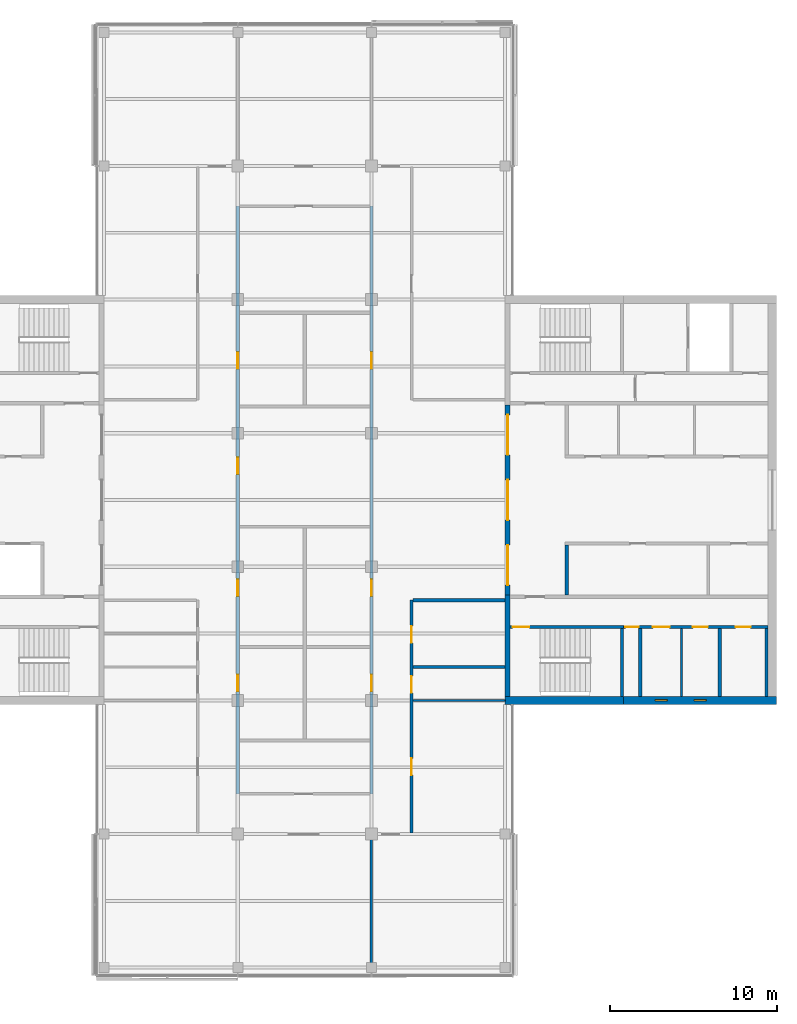
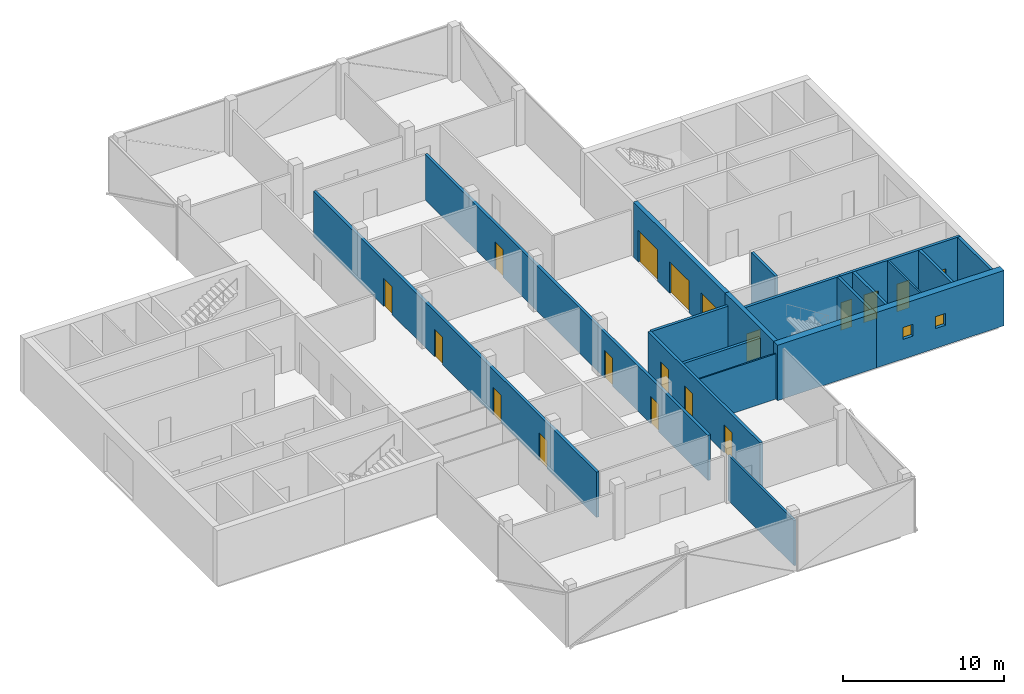
# One storey, part 10 of 16: 19 walls, 18 doors, 2 windows, 20 openings.
"""IFC4 building model written with IfcOpenShell, lengths in metres."""

import ifcopenshell
import ifcopenshell.guid

model = None  # the IFC model being written
_history = None  # IfcOwnerHistory: only IFC2X3 demands one
_inside = {}  # id of a spatial element -> (the spatial element, [elements in it])
_under = {}  # id of a project, library or spatial element -> (it, [spatial elements below it])
_declared = {}  # id of a project -> (the project, [libraries it declares])
_typed = {}  # id of a type object -> (the type object, [elements of that type])
_made_of = {}  # id of a material, layer set ... -> (it, [elements and type objects made of it])


def new_model(schema):
    """Start an empty IFC model of exactly this schema.

    Asked for "IFC4X3", IfcOpenShell would pick the latest addendum, in which some entities
    have other attributes; the version numbers below select the first issue.
    IFC2X3 requires an IfcOwnerHistory on every rooted entity: one is made here for all.
    """
    global model, _history
    if schema == "IFC4X3":
        model = ifcopenshell.file(schema_version=(4, 3, 0, 0))
    else:
        model = ifcopenshell.file(schema=schema)
    _inside.clear()
    _under.clear()
    _declared.clear()
    _typed.clear()
    _made_of.clear()
    _history = None
    if model.schema == "IFC2X3":
        org = make("IfcOrganization", Name="unknown")
        user = make(
            "IfcPersonAndOrganization",
            ThePerson=make("IfcPerson", FamilyName="unknown"),
            TheOrganization=org,
        )
        app = make(
            "IfcApplication",
            ApplicationDeveloper=org,
            Version="unknown",
            ApplicationFullName="unknown",
            ApplicationIdentifier="unknown",
        )
        _history = make(
            "IfcOwnerHistory",
            OwningUser=user,
            OwningApplication=app,
            ChangeAction="ADDED",
            CreationDate=0,
        )
    return model


def make(cls, **values):
    """One entity of the class cls with the attributes given. An attribute that is None is left unset."""
    return model.create_entity(
        cls, **{name: value for name, value in values.items() if value is not None}
    )


def rooted(cls, **values):
    """An entity with a GlobalId (a new one), such as an element, a storey or a relation."""
    return make(cls, GlobalId=ifcopenshell.guid.new(), OwnerHistory=_history, **values)


def si_unit(unit_type, name, prefix=None):
    """IfcSIUnit, for example si_unit("LENGTHUNIT", "METRE", prefix="MILLI")."""
    return make("IfcSIUnit", UnitType=unit_type, Prefix=prefix, Name=name)


def assignment(units):
    """IfcUnitAssignment: the units of a project."""
    return None if units is None else make("IfcUnitAssignment", Units=units)


def point(xyz):
    """IfcCartesianPoint."""
    return None if xyz is None else make("IfcCartesianPoint", Coordinates=xyz)


def direction(xyz):
    """IfcDirection."""
    return None if xyz is None else make("IfcDirection", DirectionRatios=xyz)


def frame(location, z_axis=None, x_axis=None):
    """IfcAxis2Placement3D, a coordinate frame: its origin and axes. An axis left out is left unset."""
    return make(
        "IfcAxis2Placement3D",
        Location=point(location),
        Axis=direction(z_axis),
        RefDirection=direction(x_axis),
    )


def frame_2d(location, x_axis=None):
    """IfcAxis2Placement2D, a coordinate frame in the plane: its origin and x axis."""
    return make(
        "IfcAxis2Placement2D", Location=point(location), RefDirection=direction(x_axis)
    )


def origin():
    """The frame at (0, 0, 0) with its axes left unset."""
    return frame((0.0, 0.0, 0.0))


def place(relative_to, where):
    """IfcLocalPlacement: puts the frame where relative to a parent placement (None: the world)."""
    return make(
        "IfcLocalPlacement", PlacementRelTo=relative_to, RelativePlacement=where
    )


def context(
    kind, dimensions, precision=None, world=None, true_north=None, identifier=None
):
    """IfcGeometricRepresentationContext, for example the 3D "Model" context."""
    return make(
        "IfcGeometricRepresentationContext",
        ContextIdentifier=identifier,
        ContextType=kind,
        CoordinateSpaceDimension=dimensions,
        Precision=precision,
        WorldCoordinateSystem=world,
        TrueNorth=true_north,
    )


def subcontext(parent, identifier, kind, view, scale=None):
    """IfcGeometricRepresentationSubContext, for example "Body" below "Model"."""
    return make(
        "IfcGeometricRepresentationSubContext",
        ContextIdentifier=identifier,
        ContextType=kind,
        ParentContext=parent,
        TargetScale=scale,
        TargetView=view,
    )


def project(units=None, contexts=None):
    """IfcProject with its units and contexts."""
    return rooted(
        "IfcProject",
        Name="project",
        RepresentationContexts=contexts,
        UnitsInContext=assignment(units),
    )


def spatial(cls, under=None, at=None, **own):
    """A site, building, storey or space (cls), placed at a placement, below another one or the project."""
    s = rooted(cls, ObjectPlacement=at, **own)
    if under is not None:
        _under.setdefault(under.id(), (under, []))[1].append(s)
    return s


def profile(cls, at=None, kind="AREA", **sizes):
    """A parametric profile (cls). Its sizes go by their IFC names, for example OverallWidth=200.0."""
    return make(cls, ProfileType=kind, Position=at, **sizes)


def rectangle(**sizes):
    """IfcRectangleProfileDef."""
    return profile("IfcRectangleProfileDef", **sizes)


def extrude(swept, where, along, depth):
    """IfcExtrudedAreaSolid: the profile swept, set in the frame where, extruded along a direction by depth."""
    return make(
        "IfcExtrudedAreaSolid",
        SweptArea=swept,
        Position=where,
        ExtrudedDirection=direction(along),
        Depth=depth,
    )


def shape(context_of_items, identifier, shape_type, items):
    """IfcShapeRepresentation: the items that make up one representation, for example the "Body"."""
    return make(
        "IfcShapeRepresentation",
        ContextOfItems=context_of_items,
        RepresentationIdentifier=identifier,
        RepresentationType=shape_type,
        Items=items,
    )


def material(Name=None, Category=None):
    """IfcMaterial."""
    return make("IfcMaterial", Name=Name, Category=Category)


def layer(
    of_material, thickness, ventilated=None, Name=None, Category=None, Priority=None
):
    """IfcMaterialLayer: one layer of a wall or slab, of a material (None: an air gap)."""
    return make(
        "IfcMaterialLayer",
        Material=of_material,
        LayerThickness=thickness,
        IsVentilated=ventilated,
        Name=Name,
        Category=Category,
        Priority=Priority,
    )


def layer_set(layers, Name=None):
    """IfcMaterialLayerSet."""
    return make("IfcMaterialLayerSet", MaterialLayers=layers, LayerSetName=Name)


def constituent(of_material, Name=None, Category=None, fraction=None):
    """IfcMaterialConstituent: one of the materials an element consists of."""
    return make(
        "IfcMaterialConstituent",
        Name=Name,
        Material=of_material,
        Fraction=fraction,
        Category=Category,
    )


def constituent_set(constituents=None, Name=None):
    """IfcMaterialConstituentSet."""
    return make(
        "IfcMaterialConstituentSet", Name=Name, MaterialConstituents=constituents
    )


def made_of(thing, what):
    """Note that an element or type object is made of a material, layer set ...; save() writes the relation."""
    if what is not None:
        _made_of.setdefault(what.id(), (what, []))[1].append(thing)
    return thing


def type_object(cls, material=None, **own):
    """A type object (cls), such as IfcWallType, which elements share."""
    return made_of(rooted(cls, **own), material)


def element(
    cls,
    number,
    at=None,
    inside=None,
    cuts=None,
    type_object=None,
    material=None,
    context=None,
    identifier="Body",
    shape_type=None,
    held_by="IfcProductDefinitionShape",
    body=None,
    shapes=None,
    **own,
):
    """One element of the class cls, such as IfcWall. Its Tag is "e" and its number.

    at: its placement. inside: the storey or other place that contains it. cuts: it is an
    opening in that element (IfcRelVoidsElement). A single representation is given by context,
    identifier, shape_type and body (its items); several are given by shapes. held_by: the class
    of the entity that holds the representations. save() writes the other relations.
    """
    e = rooted(cls, Tag="e%d" % number, ObjectPlacement=at, **own)
    if body is not None:
        shapes = [shape(context, identifier, shape_type, body)]
    if shapes is not None:
        e.Representation = make(held_by, Representations=shapes)
    if inside is not None:
        _inside.setdefault(inside.id(), (inside, []))[1].append(e)
    if cuts is not None:
        rooted(
            "IfcRelVoidsElement", RelatingBuildingElement=cuts, RelatedOpeningElement=e
        )
    if type_object is not None:
        _typed.setdefault(type_object.id(), (type_object, []))[1].append(e)
    return made_of(e, material)


def fill(opening, filler):
    """IfcRelFillsElement: the door or window that sits in an opening."""
    return rooted(
        "IfcRelFillsElement",
        RelatingOpeningElement=opening,
        RelatedBuildingElement=filler,
    )


def aggregate(whole, parts):
    """IfcRelAggregates: a whole, such as a stair, and the parts it consists of."""
    return rooted("IfcRelAggregates", RelatingObject=whole, RelatedObjects=parts)


def save(model, path):
    """Write the relations noted so far, then the file.

    IfcRelAggregates (storeys below a building ...), IfcRelContainedInSpatialStructure (elements
    in a storey), IfcRelDefinesByType, IfcRelAssociatesMaterial and IfcRelDeclares: one each for
    every whole, place, type object, material and project.
    """
    for whole, parts in _under.values():
        aggregate(whole, parts)
    for where, things in _inside.values():
        rooted(
            "IfcRelContainedInSpatialStructure",
            RelatedElements=things,
            RelatingStructure=where,
        )
    for kind, things in _typed.values():
        rooted("IfcRelDefinesByType", RelatedObjects=things, RelatingType=kind)
    for what, things in _made_of.values():
        rooted("IfcRelAssociatesMaterial", RelatedObjects=things, RelatingMaterial=what)
    for by, libraries in _declared.values():
        rooted("IfcRelDeclares", RelatingContext=by, RelatedDefinitions=libraries)
    model.write(path)


model = new_model("IFC4")

# Units and contexts
model_context = context("Model", 3, precision=1e-05, world=origin(), true_north=direction((0.0, 1.0)))
body_context = subcontext(model_context, "Body", "Model", "MODEL_VIEW")
ifc_project = project(units=[si_unit("LENGTHUNIT", "METRE"), si_unit("AREAUNIT", "SQUARE_METRE"), si_unit("VOLUMEUNIT", "CUBIC_METRE"), si_unit("PLANEANGLEUNIT", "RADIAN"), si_unit("MASSUNIT", "GRAM", prefix="KILO")], contexts=[model_context])

# Site, building, storey
site_placement = place(None, origin())
site = spatial("IfcSite", under=ifc_project, at=site_placement, CompositionType="ELEMENT")
building_placement = place(site_placement, origin())
building = spatial("IfcBuilding", under=site, at=building_placement, Name="Crosswind Convention Tower", CompositionType="ELEMENT")
storey_placement = place(building_placement, frame((0.0, 0.0, 287.10009765625)))
storey = spatial("IfcBuildingStorey", under=building, at=storey_placement, Name="L62", CompositionType="ELEMENT", Elevation=287.10009765625)

# Wall
ifc_material_1 = material(Name="Concrete blockwork", Category="masonry")
ifc_layer_1 = layer(ifc_material_1, 0.199951171875)
ifc_layer_set_1 = layer_set([ifc_layer_1], Name="Blockwork partition wall 200")
wall_type_1 = type_object("IfcWallType", Name="Blockwork partition wall 200", PredefinedType="PARTITIONING", material=ifc_layer_set_1)
wall_1_placement = place(storey_placement, frame((145.10009765625, 88.25, 0.0), z_axis=(0.0, 0.0, 1.0), x_axis=(0.0, 1.0, 0.0)))
element("IfcWall", 1, at=wall_1_placement, inside=storey, type_object=wall_type_1, Name="Wall MRSE E L62", PredefinedType="PARTITIONING", context=body_context, shape_type="SweptSolid", body=[
    extrude(rectangle(XDim=4.050048828125, YDim=0.199951171875, at=frame_2d((2.02490234375, 0.0))), origin(), (0.0, 0.0, 1.0), 4.199951171875),
])

# Wall, openings, doors
ifc_layer_2 = layer(ifc_material_1, 0.199951171875)
ifc_layer_set_2 = layer_set([ifc_layer_2], Name="COMPARTMENT WALL 200 BLOCKWORK")
wall_type_2 = type_object("IfcWallType", Name="COMPARTMENT WALL 200 BLOCKWORK", PredefinedType="SOLIDWALL", material=ifc_layer_set_2)
wall_2_placement = place(storey_placement, frame((121.0, 82.39990234375, 0.0), z_axis=(0.0, 0.0, 1.0), x_axis=(0.0, 1.0, 0.0)))
wall_2 = element("IfcWall", 2, at=wall_2_placement, inside=storey, type_object=wall_type_2, Name="Compartment wall WT42", PredefinedType="SOLIDWALL", context=body_context, shape_type="SweptSolid", body=[
    extrude(rectangle(XDim=35.2001953125, YDim=0.199951171875, at=frame_2d((17.60009765625, 0.0))), origin(), (0.0, 0.0, 1.0), 3.442626953125),
])
opening_1_placement = place(wall_2_placement, frame((6.14990234375, 0.0, 0.0)))
opening_1 = element("IfcOpeningElement", 3, at=opening_1_placement, cuts=wall_2, Name="Opening L62-65", PredefinedType="OPENING", context=body_context, shape_type="SweptSolid", body=[
    extrude(rectangle(XDim=1.0, YDim=2.10009765625, at=frame_2d((0.5, 1.050048828125))), frame((0.0, 0.10986328125, 0.0), z_axis=(0.0, -1.0, 0.0), x_axis=(1.0, 0.0, 0.0)), (0.0, 0.0, 1.0), 0.219970703125),
])
opening_2_placement = place(wall_2_placement, frame((11.85009765625, 0.0, 0.0)))
opening_2 = element("IfcOpeningElement", 4, at=opening_2_placement, cuts=wall_2, Name="Opening L62-67", PredefinedType="OPENING", context=body_context, shape_type="SweptSolid", body=[
    extrude(rectangle(XDim=1.0, YDim=2.10009765625, at=frame_2d((0.5, 1.050048828125))), frame((0.0, 0.10986328125, 0.0), z_axis=(0.0, -1.0, 0.0), x_axis=(1.0, 0.0, 0.0)), (0.0, 0.0, 1.0), 0.219970703125),
])
opening_3_placement = place(wall_2_placement, frame((19.14990234375, 0.0, 0.0)))
opening_3 = element("IfcOpeningElement", 5, at=opening_3_placement, cuts=wall_2, Name="Opening L62-69", PredefinedType="OPENING", context=body_context, shape_type="SweptSolid", body=[
    extrude(rectangle(XDim=1.0, YDim=2.10009765625, at=frame_2d((0.5, 1.050048828125))), frame((0.0, 0.10986328125, 0.0), z_axis=(0.0, -1.0, 0.0), x_axis=(1.0, 0.0, 0.0)), (0.0, 0.0, 1.0), 0.219970703125),
])
opening_4_placement = place(wall_2_placement, frame((25.449951171875, 0.0, 0.0)))
opening_4 = element("IfcOpeningElement", 6, at=opening_4_placement, cuts=wall_2, Name="Opening L62-70", PredefinedType="OPENING", context=body_context, shape_type="SweptSolid", body=[
    extrude(rectangle(XDim=1.0, YDim=2.10009765625, at=frame_2d((0.5, 1.050048828125))), frame((0.0, 0.10986328125, 0.0), z_axis=(0.0, -1.0, 0.0), x_axis=(1.0, 0.0, 0.0)), (0.0, 0.0, 1.0), 0.219970703125),
])
ifc_material_2 = material(Name="Steel fire door", Category="steel")
door_type_1 = type_object("IfcDoorType", Name="PLANT ROOM DOOR 1000X2100 FD60", OperationType="NOTDEFINED", PredefinedType="DOOR", material=ifc_material_2)
door_1_placement = place(opening_4_placement, frame((1.0, 0.0, 0.0), z_axis=(0.0, 0.0, 1.0), x_axis=(-1.0, 0.0, 0.0)))
door_1 = element("IfcDoor", 7, at=door_1_placement, inside=storey, type_object=door_type_1, Name="Door L62-70", ObjectType="D43", OperationType="SINGLE_SWING_RIGHT", OverallHeight=2.10009765625, OverallWidth=1.0, PredefinedType="DOOR", context=body_context, shape_type="SweptSolid", body=[
    extrude(rectangle(XDim=1.0, YDim=2.10009765625, at=frame_2d((0.5, 1.050048828125))), frame((0.0, 0.02490234375, 0.0), z_axis=(0.0, -1.0, 0.0), x_axis=(1.0, 0.0, 0.0)), (0.0, 0.0, 1.0), 0.050048828125),
])
fill(opening_4, door_1)
ifc_material_3 = material(Name="Timber fire door", Category="wood")
door_type_2 = type_object("IfcDoorType", Name="TENANCY ENTRANCE DOOR 1000X2100 FD30S", OperationType="NOTDEFINED", PredefinedType="DOOR", material=ifc_material_3)
door_2_placement = place(opening_1_placement, frame((1.0, 0.0, 0.0), z_axis=(0.0, 0.0, 1.0), x_axis=(-1.0, 0.0, 0.0)))
door_2 = element("IfcDoor", 8, at=door_2_placement, inside=storey, type_object=door_type_2, Name="Door L62-65", ObjectType="D41", OperationType="SINGLE_SWING_RIGHT", OverallHeight=2.10009765625, OverallWidth=1.0, PredefinedType="DOOR", context=body_context, shape_type="SweptSolid", body=[
    extrude(rectangle(XDim=1.0, YDim=2.10009765625, at=frame_2d((0.5, 1.050048828125))), frame((0.0, 0.02490234375, 0.0), z_axis=(0.0, -1.0, 0.0), x_axis=(1.0, 0.0, 0.0)), (0.0, 0.0, 1.0), 0.050048828125),
])
fill(opening_1, door_2)
door_3_placement = place(opening_2_placement, frame((1.0, 0.0, 0.0), z_axis=(0.0, 0.0, 1.0), x_axis=(-1.0, 0.0, 0.0)))
door_3 = element("IfcDoor", 9, at=door_3_placement, inside=storey, type_object=door_type_2, Name="Door L62-67", ObjectType="D41", OperationType="SINGLE_SWING_LEFT", OverallHeight=2.10009765625, OverallWidth=1.0, PredefinedType="DOOR", context=body_context, shape_type="SweptSolid", body=[
    extrude(rectangle(XDim=1.0, YDim=2.10009765625, at=frame_2d((0.5, 1.050048828125))), frame((0.0, 0.02490234375, 0.0), z_axis=(0.0, -1.0, 0.0), x_axis=(1.0, 0.0, 0.0)), (0.0, 0.0, 1.0), 0.050048828125),
])
fill(opening_2, door_3)
door_4_placement = place(opening_3_placement, frame((1.0, 0.0, 0.0), z_axis=(0.0, 0.0, 1.0), x_axis=(-1.0, 0.0, 0.0)))
door_4 = element("IfcDoor", 10, at=door_4_placement, inside=storey, type_object=door_type_2, Name="Door L62-69", ObjectType="D41", OperationType="SINGLE_SWING_LEFT", OverallHeight=2.10009765625, OverallWidth=1.0, PredefinedType="DOOR", context=body_context, shape_type="SweptSolid", body=[
    extrude(rectangle(XDim=1.0, YDim=2.10009765625, at=frame_2d((0.5, 1.050048828125))), frame((0.0, 0.02490234375, 0.0), z_axis=(0.0, -1.0, 0.0), x_axis=(1.0, 0.0, 0.0)), (0.0, 0.0, 1.0), 0.050048828125),
])
fill(opening_3, door_4)

wall_3_placement = place(storey_placement, frame((129.0, 82.39990234375, 0.0), z_axis=(0.0, 0.0, 1.0), x_axis=(0.0, 1.0, 0.0)))
wall_3 = element("IfcWall", 11, at=wall_3_placement, inside=storey, type_object=wall_type_2, Name="Compartment wall WT42", PredefinedType="SOLIDWALL", context=body_context, shape_type="SweptSolid", body=[
    extrude(rectangle(XDim=35.2001953125, YDim=0.199951171875, at=frame_2d((17.60009765625, 0.0))), origin(), (0.0, 0.0, 1.0), 3.442626953125),
])
opening_5_placement = place(wall_3_placement, frame((6.14990234375, 0.0, 0.0)))
opening_5 = element("IfcOpeningElement", 12, at=opening_5_placement, cuts=wall_3, Name="Opening L62-66", PredefinedType="OPENING", context=body_context, shape_type="SweptSolid", body=[
    extrude(rectangle(XDim=1.0, YDim=2.10009765625, at=frame_2d((0.5, 1.050048828125))), frame((0.0, 0.10986328125, 0.0), z_axis=(0.0, -1.0, 0.0), x_axis=(1.0, 0.0, 0.0)), (0.0, 0.0, 1.0), 0.219970703125),
])
opening_6_placement = place(wall_3_placement, frame((11.85009765625, 0.0, 0.0)))
opening_6 = element("IfcOpeningElement", 13, at=opening_6_placement, cuts=wall_3, Name="Opening L62-68", PredefinedType="OPENING", context=body_context, shape_type="SweptSolid", body=[
    extrude(rectangle(XDim=1.0, YDim=2.10009765625, at=frame_2d((0.5, 1.050048828125))), frame((0.0, 0.10986328125, 0.0), z_axis=(0.0, -1.0, 0.0), x_axis=(1.0, 0.0, 0.0)), (0.0, 0.0, 1.0), 0.219970703125),
])
opening_7_placement = place(wall_3_placement, frame((25.449951171875, 0.0, 0.0)))
opening_7 = element("IfcOpeningElement", 14, at=opening_7_placement, cuts=wall_3, Name="Opening L62-71", PredefinedType="OPENING", context=body_context, shape_type="SweptSolid", body=[
    extrude(rectangle(XDim=1.0, YDim=2.10009765625, at=frame_2d((0.5, 1.050048828125))), frame((0.0, 0.10986328125, 0.0), z_axis=(0.0, -1.0, 0.0), x_axis=(1.0, 0.0, 0.0)), (0.0, 0.0, 1.0), 0.219970703125),
])
door_5_placement = place(opening_5_placement, origin())
door_5 = element("IfcDoor", 15, at=door_5_placement, inside=storey, type_object=door_type_1, Name="Door L62-66", ObjectType="D43", OperationType="SINGLE_SWING_LEFT", OverallHeight=2.10009765625, OverallWidth=1.0, PredefinedType="DOOR", context=body_context, shape_type="SweptSolid", body=[
    extrude(rectangle(XDim=1.0, YDim=2.10009765625, at=frame_2d((0.5, 1.050048828125))), frame((0.0, 0.02490234375, 0.0), z_axis=(0.0, -1.0, 0.0), x_axis=(1.0, 0.0, 0.0)), (0.0, 0.0, 1.0), 0.050048828125),
])
fill(opening_5, door_5)
door_6_placement = place(opening_6_placement, origin())
door_6 = element("IfcDoor", 16, at=door_6_placement, inside=storey, type_object=door_type_2, Name="Door L62-68", ObjectType="D41", OperationType="SINGLE_SWING_RIGHT", OverallHeight=2.10009765625, OverallWidth=1.0, PredefinedType="DOOR", context=body_context, shape_type="SweptSolid", body=[
    extrude(rectangle(XDim=1.0, YDim=2.10009765625, at=frame_2d((0.5, 1.050048828125))), frame((0.0, 0.02490234375, 0.0), z_axis=(0.0, -1.0, 0.0), x_axis=(1.0, 0.0, 0.0)), (0.0, 0.0, 1.0), 0.050048828125),
])
fill(opening_6, door_6)
door_7_placement = place(opening_7_placement, origin())
door_7 = element("IfcDoor", 17, at=door_7_placement, inside=storey, type_object=door_type_2, Name="Door L62-71", ObjectType="D41", OperationType="SINGLE_SWING_LEFT", OverallHeight=2.10009765625, OverallWidth=1.0, PredefinedType="DOOR", context=body_context, shape_type="SweptSolid", body=[
    extrude(rectangle(XDim=1.0, YDim=2.10009765625, at=frame_2d((0.5, 1.050048828125))), frame((0.0, 0.02490234375, 0.0), z_axis=(0.0, -1.0, 0.0), x_axis=(1.0, 0.0, 0.0)), (0.0, 0.0, 1.0), 0.050048828125),
])
fill(opening_7, door_7)

wall_4_placement = place(storey_placement, frame((131.39990234375, 80.074951171875, 0.0), z_axis=(0.0, 0.0, 1.0), x_axis=(0.0, 1.0, 0.0)))
wall_4 = element("IfcWall", 18, at=wall_4_placement, inside=storey, type_object=wall_type_2, Name="Compartment wall WT42", PredefinedType="SOLIDWALL", context=body_context, shape_type="SweptSolid", body=[
    extrude(rectangle(XDim=13.925048828125, YDim=0.199951171875, at=frame_2d((6.96240234375, 0.0))), origin(), (0.0, 0.0, 1.0), 3.442626953125),
])
opening_8_placement = place(wall_4_placement, frame((11.375, 0.0, 0.0)))
opening_8 = element("IfcOpeningElement", 19, at=opening_8_placement, cuts=wall_4, Name="Opening L62-51", PredefinedType="OPENING", context=body_context, shape_type="SweptSolid", body=[
    extrude(rectangle(XDim=1.0, YDim=2.10009765625, at=frame_2d((0.5, 1.050048828125))), frame((0.0, 0.10986328125, 0.0), z_axis=(0.0, -1.0, 0.0), x_axis=(1.0, 0.0, 0.0)), (0.0, 0.0, 1.0), 0.219970703125),
])
opening_9_placement = place(wall_4_placement, frame((8.375, 0.0, 0.0)))
opening_9 = element("IfcOpeningElement", 20, at=opening_9_placement, cuts=wall_4, Name="Opening L62-52", PredefinedType="OPENING", context=body_context, shape_type="SweptSolid", body=[
    extrude(rectangle(XDim=1.0, YDim=2.10009765625, at=frame_2d((0.5, 1.050048828125))), frame((0.0, 0.10986328125, 0.0), z_axis=(0.0, -1.0, 0.0), x_axis=(1.0, 0.0, 0.0)), (0.0, 0.0, 1.0), 0.219970703125),
])
opening_10_placement = place(wall_4_placement, frame((3.449951171875, 0.0, 0.0)))
opening_10 = element("IfcOpeningElement", 21, at=opening_10_placement, cuts=wall_4, Name="Opening L62-53", PredefinedType="OPENING", context=body_context, shape_type="SweptSolid", body=[
    extrude(rectangle(XDim=1.0, YDim=2.10009765625, at=frame_2d((0.5, 1.050048828125))), frame((0.0, 0.10986328125, 0.0), z_axis=(0.0, -1.0, 0.0), x_axis=(1.0, 0.0, 0.0)), (0.0, 0.0, 1.0), 0.219970703125),
])
door_8_placement = place(opening_8_placement, frame((1.0, 0.0, 0.0), z_axis=(0.0, 0.0, 1.0), x_axis=(-1.0, 0.0, 0.0)))
door_8 = element("IfcDoor", 22, at=door_8_placement, inside=storey, type_object=door_type_1, Name="Door L62-51", ObjectType="D43", OperationType="SINGLE_SWING_RIGHT", OverallHeight=2.10009765625, OverallWidth=1.0, PredefinedType="DOOR", context=body_context, shape_type="SweptSolid", body=[
    extrude(rectangle(XDim=1.0, YDim=2.10009765625, at=frame_2d((0.5, 1.050048828125))), frame((0.0, 0.02490234375, 0.0), z_axis=(0.0, -1.0, 0.0), x_axis=(1.0, 0.0, 0.0)), (0.0, 0.0, 1.0), 0.050048828125),
])
fill(opening_8, door_8)
door_9_placement = place(opening_9_placement, frame((1.0, 0.0, 0.0), z_axis=(0.0, 0.0, 1.0), x_axis=(-1.0, 0.0, 0.0)))
door_9 = element("IfcDoor", 23, at=door_9_placement, inside=storey, type_object=door_type_2, Name="Door L62-52", ObjectType="D41", OperationType="SINGLE_SWING_LEFT", OverallHeight=2.10009765625, OverallWidth=1.0, PredefinedType="DOOR", context=body_context, shape_type="SweptSolid", body=[
    extrude(rectangle(XDim=1.0, YDim=2.10009765625, at=frame_2d((0.5, 1.050048828125))), frame((0.0, 0.02490234375, 0.0), z_axis=(0.0, -1.0, 0.0), x_axis=(1.0, 0.0, 0.0)), (0.0, 0.0, 1.0), 0.050048828125),
])
fill(opening_9, door_9)
door_10_placement = place(opening_10_placement, frame((1.0, 0.0, 0.0), z_axis=(0.0, 0.0, 1.0), x_axis=(-1.0, 0.0, 0.0)))
door_10 = element("IfcDoor", 24, at=door_10_placement, inside=storey, type_object=door_type_2, Name="Door L62-53", ObjectType="D41", OperationType="SINGLE_SWING_LEFT", OverallHeight=2.10009765625, OverallWidth=1.0, PredefinedType="DOOR", context=body_context, shape_type="SweptSolid", body=[
    extrude(rectangle(XDim=1.0, YDim=2.10009765625, at=frame_2d((0.5, 1.050048828125))), frame((0.0, 0.02490234375, 0.0), z_axis=(0.0, -1.0, 0.0), x_axis=(1.0, 0.0, 0.0)), (0.0, 0.0, 1.0), 0.050048828125),
])
fill(opening_10, door_10)

# Walls
for number, where, z_axis, x_axis, name in (
    (25, (131.5, 90.0, 0.0), (0.0, 0.0, 1.0), (1.0, 0.0, 0.0), "Compartment wall WT42"),
    (26, (131.5, 94.0, 0.0), (0.0, 0.0, 1.0), (1.0, 0.0, 0.0), "Compartment wall WT42"),
):
    element("IfcWall", number, at=place(storey_placement, frame(where, z_axis=z_axis, x_axis=x_axis)), inside=storey, type_object=wall_type_2, Name=name, PredefinedType="SOLIDWALL", context=body_context, shape_type="SweptSolid", body=[
        extrude(rectangle(XDim=5.5, YDim=0.199951171875, at=frame_2d((2.75, 0.0))), origin(), (0.0, 0.0, 1.0), 3.442626953125),
    ])

# Wall, openings, doors
ifc_material_4 = material(Name="Concrete C50/60", Category="concrete")
ifc_layer_3 = layer(ifc_material_4, 0.300048828125)
ifc_layer_set_3 = layer_set([ifc_layer_3], Name="Concrete C50/60")
wall_type_3 = type_object("IfcWallType", Name="Concrete inner core wall 300", PredefinedType="SHEAR", material=ifc_layer_set_3)
wall_5_placement = place(storey_placement, frame((137.14990234375, 94.300048828125, 0.0), z_axis=(0.0, 0.0, 1.0), x_axis=(0.0, 1.0, 0.0)))
wall_5 = element("IfcWall", 27, at=wall_5_placement, inside=storey, type_object=wall_type_3, Name="Wall SCR E L62", PredefinedType="SHEAR", context=body_context, shape_type="SweptSolid", body=[
    extrude(rectangle(XDim=11.39990234375, YDim=0.300048828125, at=frame_2d((5.699951171875, 0.0))), origin(), (0.0, 0.0, 1.0), 4.199951171875),
])
opening_11_placement = place(wall_5_placement, frame((0.60009765625, 0.0, 0.0)))
opening_11 = element("IfcOpeningElement", 28, at=opening_11_placement, cuts=wall_5, Name="Opening D100", PredefinedType="OPENING", context=body_context, shape_type="SweptSolid", body=[
    extrude(rectangle(XDim=2.39990234375, YDim=2.39990234375, at=frame_2d((1.199951171875, 1.199951171875))), frame((0.0, 0.159912109375, 0.0), z_axis=(0.0, -1.0, 0.0), x_axis=(1.0, 0.0, 0.0)), (0.0, 0.0, 1.0), 0.320068359375),
])
opening_12_placement = place(wall_5_placement, frame((4.5, 0.0, 0.0)))
opening_12 = element("IfcOpeningElement", 29, at=opening_12_placement, cuts=wall_5, Name="Opening D100", PredefinedType="OPENING", context=body_context, shape_type="SweptSolid", body=[
    extrude(rectangle(XDim=2.39990234375, YDim=2.39990234375, at=frame_2d((1.199951171875, 1.199951171875))), frame((0.0, 0.159912109375, 0.0), z_axis=(0.0, -1.0, 0.0), x_axis=(1.0, 0.0, 0.0)), (0.0, 0.0, 1.0), 0.320068359375),
])
opening_13_placement = place(wall_5_placement, frame((8.39990234375, 0.0, 0.0)))
opening_13 = element("IfcOpeningElement", 30, at=opening_13_placement, cuts=wall_5, Name="Opening D100", PredefinedType="OPENING", context=body_context, shape_type="SweptSolid", body=[
    extrude(rectangle(XDim=2.39990234375, YDim=2.39990234375, at=frame_2d((1.199951171875, 1.199951171875))), frame((0.0, 0.159912109375, 0.0), z_axis=(0.0, -1.0, 0.0), x_axis=(1.0, 0.0, 0.0)), (0.0, 0.0, 1.0), 0.320068359375),
])
ifc_material_5 = material(Name="Steel fire door with glazed vision panels", Category="steel")
door_type_3 = type_object("IfcDoorType", Name="Fire-rated double door 2400x2400", OperationType="DOUBLE_DOOR_SINGLE_SWING", PredefinedType="DOOR", material=ifc_material_5)
door_11_placement = place(opening_11_placement, origin())
door_11 = element("IfcDoor", 31, at=door_11_placement, inside=storey, type_object=door_type_3, Name="Lobby door 1 L62", ObjectType="D100", OperationType="DOUBLE_DOOR_SINGLE_SWING", OverallHeight=2.39990234375, OverallWidth=2.39990234375, PredefinedType="DOOR", context=body_context, shape_type="SweptSolid", body=[
    extrude(rectangle(XDim=2.39990234375, YDim=2.39990234375, at=frame_2d((1.199951171875, 1.199951171875))), frame((0.0, 0.02490234375, 0.0), z_axis=(0.0, -1.0, 0.0), x_axis=(1.0, 0.0, 0.0)), (0.0, 0.0, 1.0), 0.050048828125),
])
fill(opening_11, door_11)
door_12_placement = place(opening_12_placement, origin())
door_12 = element("IfcDoor", 32, at=door_12_placement, inside=storey, type_object=door_type_3, Name="Lobby door 2 L62", ObjectType="D100", OperationType="DOUBLE_DOOR_SINGLE_SWING", OverallHeight=2.39990234375, OverallWidth=2.39990234375, PredefinedType="DOOR", context=body_context, shape_type="SweptSolid", body=[
    extrude(rectangle(XDim=2.39990234375, YDim=2.39990234375, at=frame_2d((1.199951171875, 1.199951171875))), frame((0.0, 0.02490234375, 0.0), z_axis=(0.0, -1.0, 0.0), x_axis=(1.0, 0.0, 0.0)), (0.0, 0.0, 1.0), 0.050048828125),
])
fill(opening_12, door_12)
door_13_placement = place(opening_13_placement, origin())
door_13 = element("IfcDoor", 33, at=door_13_placement, inside=storey, type_object=door_type_3, Name="Lobby door 3 L62", ObjectType="D100", OperationType="DOUBLE_DOOR_SINGLE_SWING", OverallHeight=2.39990234375, OverallWidth=2.39990234375, PredefinedType="DOOR", context=body_context, shape_type="SweptSolid", body=[
    extrude(rectangle(XDim=2.39990234375, YDim=2.39990234375, at=frame_2d((1.199951171875, 1.199951171875))), frame((0.0, 0.02490234375, 0.0), z_axis=(0.0, -1.0, 0.0), x_axis=(1.0, 0.0, 0.0)), (0.0, 0.0, 1.0), 0.050048828125),
])
fill(opening_13, door_13)

# Walls
wall_6_placement = place(storey_placement, frame((137.14990234375, 88.25, 0.0), z_axis=(0.0, 0.0, 1.0), x_axis=(0.0, 1.0, 0.0)))
element("IfcWall", 34, at=wall_6_placement, inside=storey, type_object=wall_type_3, Name="Wall EM E L62", PredefinedType="SHEAR", context=body_context, shape_type="SweptSolid", body=[
    extrude(rectangle(XDim=6.050048828125, YDim=0.300048828125, at=frame_2d((3.02490234375, 0.0))), origin(), (0.0, 0.0, 1.0), 4.199951171875),
])
ifc_layer_4 = layer(ifc_material_4, 0.199951171875)
ifc_layer_set_4 = layer_set([ifc_layer_4], Name="Concrete C50/60")
wall_type_4 = type_object("IfcWallType", Name="Concrete shaft and stair wall 200", PredefinedType="SHEAR", material=ifc_layer_set_4)
wall_7_placement = place(storey_placement, frame((140.699951171875, 94.300048828125, 0.0), z_axis=(0.0, 0.0, 1.0), x_axis=(0.0, 1.0, 0.0)))
element("IfcWall", 35, at=wall_7_placement, inside=storey, type_object=wall_type_4, Name="Wall RMEND E L62", PredefinedType="SHEAR", context=body_context, shape_type="SweptSolid", body=[
    extrude(rectangle(XDim=3.0, YDim=0.199951171875, at=frame_2d((1.5, 0.0))), origin(), (0.0, 0.0, 1.0), 4.199951171875),
])
for number, where, z_axis, x_axis, name in (
    (36, (144.0, 88.25, 0.0), (0.0, 0.0, 1.0), (0.0, 1.0, 0.0), "Wall MSE E L62"),
    (37, (149.85009765625, 88.25, 0.0), (0.0, 0.0, 1.0), (0.0, 1.0, 0.0), "Wall MFSW E L62"),
    (38, (152.64990234375, 88.25, 0.0), (0.0, 0.0, 1.0), (0.0, 1.0, 0.0), "Wall MFSE E L62"),
):
    element("IfcWall", number, at=place(storey_placement, frame(where, z_axis=z_axis, x_axis=x_axis)), inside=storey, type_object=wall_type_4, Name=name, PredefinedType="SHEAR", context=body_context, shape_type="SweptSolid", body=[
        extrude(rectangle(XDim=4.050048828125, YDim=0.199951171875, at=frame_2d((2.02490234375, 0.0))), origin(), (0.0, 0.0, 1.0), 4.199951171875),
    ])

# Wall, opening, door
wall_8_placement = place(storey_placement, frame((137.300048828125, 92.39990234375, 0.0), z_axis=(0.0, 0.0, 1.0), x_axis=(1.0, 0.0, 0.0)))
wall_8 = element("IfcWall", 39, at=wall_8_placement, inside=storey, type_object=wall_type_4, Name="Wall MCW E L62", PredefinedType="SHEAR", context=body_context, shape_type="SweptSolid", body=[
    extrude(rectangle(XDim=6.800048828125, YDim=0.199951171875, at=frame_2d((3.39990234375, 0.0))), origin(), (0.0, 0.0, 1.0), 4.199951171875),
])
opening_14_placement = place(wall_8_placement, frame((0.14990234375, 0.0, 0.0)))
opening_14 = element("IfcOpeningElement", 40, at=opening_14_placement, cuts=wall_8, Name="Opening D103", PredefinedType="OPENING", context=body_context, shape_type="SweptSolid", body=[
    extrude(rectangle(XDim=1.0, YDim=2.10009765625, at=frame_2d((0.5, 1.050048828125))), frame((0.0, 0.10986328125, 0.0), z_axis=(0.0, -1.0, 0.0), x_axis=(1.0, 0.0, 0.0)), (0.0, 0.0, 1.0), 0.219970703125),
])
door_type_4 = type_object("IfcDoorType", Name="Fire-rated single door 1000x2100", OperationType="NOTDEFINED", PredefinedType="DOOR", material=ifc_material_2)
door_14_placement = place(opening_14_placement, frame((1.0, 0.0, 0.0), z_axis=(0.0, 0.0, 1.0), x_axis=(-1.0, 0.0, 0.0)))
door_14 = element("IfcDoor", 41, at=door_14_placement, inside=storey, type_object=door_type_4, Name="Stair ST2 door L62", ObjectType="D103", OperationType="SINGLE_SWING_RIGHT", OverallHeight=2.10009765625, OverallWidth=1.0, PredefinedType="DOOR", context=body_context, shape_type="SweptSolid", body=[
    extrude(rectangle(XDim=1.0, YDim=2.10009765625, at=frame_2d((0.5, 1.050048828125))), frame((0.0, 0.02490234375, 0.0), z_axis=(0.0, -1.0, 0.0), x_axis=(1.0, 0.0, 0.0)), (0.0, 0.0, 1.0), 0.050048828125),
])
fill(opening_14, door_14)

# Wall, openings, doors
wall_9_placement = place(storey_placement, frame((144.10009765625, 92.39990234375, 0.0), z_axis=(0.0, 0.0, 1.0), x_axis=(1.0, 0.0, 0.0)))
wall_9 = element("IfcWall", 42, at=wall_9_placement, inside=storey, type_object=wall_type_4, Name="Wall MCX E L62", PredefinedType="SHEAR", context=body_context, shape_type="SweptSolid", body=[
    extrude(rectangle(XDim=8.64990234375, YDim=0.199951171875, at=frame_2d((4.324951171875, 0.0))), origin(), (0.0, 0.0, 1.0), 4.199951171875),
])
opening_15_placement = place(wall_9_placement, frame((0.10009765625, 0.0, 0.0)))
opening_15 = element("IfcOpeningElement", 43, at=opening_15_placement, cuts=wall_9, Name="Opening D105", PredefinedType="OPENING", context=body_context, shape_type="SweptSolid", body=[
    extrude(rectangle(XDim=0.800048828125, YDim=2.10009765625, at=frame_2d((0.39990234375, 1.050048828125))), frame((0.0, 0.10986328125, 0.0), z_axis=(0.0, -1.0, 0.0), x_axis=(1.0, 0.0, 0.0)), (0.0, 0.0, 1.0), 0.219970703125),
])
opening_16_placement = place(wall_9_placement, frame((1.751708984375, 0.0, 0.0)))
opening_16 = element("IfcOpeningElement", 44, at=opening_16_placement, cuts=wall_9, Name="Opening D103", PredefinedType="OPENING", context=body_context, shape_type="SweptSolid", body=[
    extrude(rectangle(XDim=1.0, YDim=2.10009765625, at=frame_2d((0.5, 1.050048828125))), frame((0.0, 0.10986328125, 0.0), z_axis=(0.0, -1.0, 0.0), x_axis=(1.0, 0.0, 0.0)), (0.0, 0.0, 1.0), 0.219970703125),
])
opening_17_placement = place(wall_9_placement, frame((4.13916015625, 0.0, 0.0)))
opening_17 = element("IfcOpeningElement", 45, at=opening_17_placement, cuts=wall_9, Name="Opening D106", PredefinedType="OPENING", context=body_context, shape_type="SweptSolid", body=[
    extrude(rectangle(XDim=0.89990234375, YDim=2.10009765625, at=frame_2d((0.449951171875, 1.050048828125))), frame((0.0, 0.10986328125, 0.0), z_axis=(0.0, -1.0, 0.0), x_axis=(1.0, 0.0, 0.0)), (0.0, 0.0, 1.0), 0.219970703125),
])
opening_18_placement = place(wall_9_placement, frame((6.699951171875, 0.0, 0.0)))
opening_18 = element("IfcOpeningElement", 46, at=opening_18_placement, cuts=wall_9, Name="Opening D106", PredefinedType="OPENING", context=body_context, shape_type="SweptSolid", body=[
    extrude(rectangle(XDim=0.89990234375, YDim=2.10009765625, at=frame_2d((0.449951171875, 1.050048828125))), frame((0.0, 0.10986328125, 0.0), z_axis=(0.0, -1.0, 0.0), x_axis=(1.0, 0.0, 0.0)), (0.0, 0.0, 1.0), 0.219970703125),
])
door_15_placement = place(opening_16_placement, frame((1.0, 0.0, 0.0), z_axis=(0.0, 0.0, 1.0), x_axis=(-1.0, 0.0, 0.0)))
door_15 = element("IfcDoor", 47, at=door_15_placement, inside=storey, type_object=door_type_4, Name="Door to accessible wc L62", ObjectType="D103", OperationType="SINGLE_SWING_LEFT", OverallHeight=2.10009765625, OverallWidth=1.0, PredefinedType="DOOR", context=body_context, shape_type="SweptSolid", body=[
    extrude(rectangle(XDim=1.0, YDim=2.10009765625, at=frame_2d((0.5, 1.050048828125))), frame((0.0, 0.02490234375, 0.0), z_axis=(0.0, -1.0, 0.0), x_axis=(1.0, 0.0, 0.0)), (0.0, 0.0, 1.0), 0.050048828125),
])
fill(opening_16, door_15)
door_type_5 = type_object("IfcDoorType", Name="Riser access door 800x2100", OperationType="NOTDEFINED", PredefinedType="DOOR", material=ifc_material_2)
door_16_placement = place(opening_15_placement, frame((0.800048828125, 0.0, 0.0), z_axis=(0.0, 0.0, 1.0), x_axis=(-1.0, 0.0, 0.0)))
door_16 = element("IfcDoor", 48, at=door_16_placement, inside=storey, type_object=door_type_5, Name="Riser door L62", ObjectType="D105", OperationType="SINGLE_SWING_LEFT", OverallHeight=2.10009765625, OverallWidth=0.800048828125, PredefinedType="DOOR", context=body_context, shape_type="SweptSolid", body=[
    extrude(rectangle(XDim=0.800048828125, YDim=2.10009765625, at=frame_2d((0.39990234375, 1.050048828125))), frame((0.0, 0.02490234375, 0.0), z_axis=(0.0, -1.0, 0.0), x_axis=(1.0, 0.0, 0.0)), (0.0, 0.0, 1.0), 0.050048828125),
])
fill(opening_15, door_16)
ifc_material_6 = material(Name="Timber door", Category="wood")
door_type_6 = type_object("IfcDoorType", Name="Single leaf door 900x2100", OperationType="NOTDEFINED", PredefinedType="DOOR", material=ifc_material_6)
door_17_placement = place(opening_17_placement, frame((0.89990234375, 0.0, 0.0), z_axis=(0.0, 0.0, 1.0), x_axis=(-1.0, 0.0, 0.0)))
door_17 = element("IfcDoor", 49, at=door_17_placement, inside=storey, type_object=door_type_6, Name="Door to wc L62", ObjectType="D106", OperationType="SINGLE_SWING_LEFT", OverallHeight=2.10009765625, OverallWidth=0.89990234375, PredefinedType="DOOR", context=body_context, shape_type="SweptSolid", body=[
    extrude(rectangle(XDim=0.89990234375, YDim=2.10009765625, at=frame_2d((0.449951171875, 1.050048828125))), frame((0.0, 0.02490234375, 0.0), z_axis=(0.0, -1.0, 0.0), x_axis=(1.0, 0.0, 0.0)), (0.0, 0.0, 1.0), 0.050048828125),
])
fill(opening_17, door_17)
door_18_placement = place(opening_18_placement, frame((0.89990234375, 0.0, 0.0), z_axis=(0.0, 0.0, 1.0), x_axis=(-1.0, 0.0, 0.0)))
door_18 = element("IfcDoor", 50, at=door_18_placement, inside=storey, type_object=door_type_6, Name="Door to wc L62", ObjectType="D106", OperationType="SINGLE_SWING_LEFT", OverallHeight=2.10009765625, OverallWidth=0.89990234375, PredefinedType="DOOR", context=body_context, shape_type="SweptSolid", body=[
    extrude(rectangle(XDim=0.89990234375, YDim=2.10009765625, at=frame_2d((0.449951171875, 1.050048828125))), frame((0.0, 0.02490234375, 0.0), z_axis=(0.0, -1.0, 0.0), x_axis=(1.0, 0.0, 0.0)), (0.0, 0.0, 1.0), 0.050048828125),
])
fill(opening_18, door_18)

# Walls
ifc_material_7 = material(Name="Gypsum plasterboard partition", Category="gypsum")
ifc_layer_5 = layer(ifc_material_7, 0.125)
ifc_layer_set_5 = layer_set([ifc_layer_5], Name="Drywall partition wall 125")
wall_type_5 = type_object("IfcWallType", Name="Drywall partition wall 125", PredefinedType="PARTITIONING", material=ifc_layer_set_5)
wall_10_placement = place(storey_placement, frame((147.56591796875, 88.25, 0.0), z_axis=(0.0, 0.0, 1.0), x_axis=(0.0, 1.0, 0.0)))
element("IfcWall", 51, at=wall_10_placement, inside=storey, type_object=wall_type_5, Name="Wall MWP1 E L62", PredefinedType="PARTITIONING", context=body_context, shape_type="SweptSolid", body=[
    extrude(rectangle(XDim=4.050048828125, YDim=0.125, at=frame_2d((2.02490234375, 0.0))), origin(), (0.0, 0.0, 1.0), 4.199951171875),
])
ifc_material_8 = material(Name="Plasterboard partition", Category="gypsum")
ifc_layer_6 = layer(ifc_material_8, 0.10009765625)
ifc_layer_set_6 = layer_set([ifc_layer_6], Name="PARTITION 100 METAL STUD")
wall_type_6 = type_object("IfcWallType", Name="PARTITION 100 METAL STUD", PredefinedType="PARTITIONING", material=ifc_layer_set_6)
wall_11_placement = place(storey_placement, frame((131.5, 88.0, 0.0), z_axis=(0.0, 0.0, 1.0), x_axis=(1.0, 0.0, 0.0)))
element("IfcWall", 52, at=wall_11_placement, inside=storey, type_object=wall_type_6, Name="Partition wall WT40", PredefinedType="PARTITIONING", context=body_context, shape_type="SweptSolid", body=[
    extrude(rectangle(XDim=5.5, YDim=0.10009765625, at=frame_2d((2.75, 0.0))), origin(), (0.0, 0.0, 1.0), 3.442626953125),
])
ifc_material_9 = material(Name="Fire-board partition with mineral wool", Category="gypsum")
ifc_layer_7 = layer(ifc_material_9, 0.14990234375)
ifc_layer_set_7 = layer_set([ifc_layer_7], Name="TENANCY WALL 150 TWO-HOUR BOARD")
wall_type_7 = type_object("IfcWallType", Name="TENANCY WALL 150 TWO-HOUR BOARD", PredefinedType="PARTITIONING", material=ifc_layer_set_7)
wall_12_placement = place(storey_placement, frame((129.0, 71.72998046875, 0.0), z_axis=(0.0, 0.0, 1.0), x_axis=(0.0, 1.0, 0.0)))
element("IfcWall", 53, at=wall_12_placement, inside=storey, type_object=wall_type_7, Name="Tenancy wall WT41", PredefinedType="PARTITIONING", context=body_context, shape_type="SweptSolid", body=[
    extrude(rectangle(XDim=8.195068359375, YDim=0.14990234375, at=frame_2d((4.09765625, 0.0))), origin(), (0.0, 0.0, 1.0), 3.442626953125),
])
ifc_material_10 = material(Name="Concrete C60/75", Category="concrete")
ifc_constituent_1 = constituent(ifc_material_10, Name="Structure")
ifc_material_11 = material(Name="Terracotta rainscreen", Category="ceramic")
ifc_constituent_2 = constituent(ifc_material_11, Name="Facing")
ifc_constituent_set = constituent_set(constituents=[ifc_constituent_1, ifc_constituent_2], Name="Concrete C60/75, Terracotta rainscreen")
wall_type_8 = type_object("IfcWallType", Name="Terracotta rainscreen on concrete core wall 500", PredefinedType="SHEAR", material=ifc_constituent_set)
wall_13_placement = place(storey_placement, frame((137.0, 88.0, 0.0), z_axis=(0.0, 0.0, 1.0), x_axis=(1.0, 0.0, 0.0)))
element("IfcWall", 54, at=wall_13_placement, inside=storey, type_object=wall_type_8, Name="Wall S1 E L62", PredefinedType="SHEAR", context=body_context, shape_type="SweptSolid", body=[
    extrude(rectangle(XDim=7.10009765625, YDim=0.5, at=frame_2d((3.550048828125, 0.0))), origin(), (0.0, 0.0, 1.0), 4.199951171875),
])

# Wall, openings, windows
wall_14_placement = place(storey_placement, frame((144.10009765625, 88.0, 0.0), z_axis=(0.0, 0.0, 1.0), x_axis=(1.0, 0.0, 0.0)))
wall_14 = element("IfcWall", 55, at=wall_14_placement, inside=storey, type_object=wall_type_8, Name="Wall S2 E L62", PredefinedType="SHEAR", context=body_context, shape_type="SweptSolid", body=[
    extrude(rectangle(XDim=9.14990234375, YDim=0.5, at=frame_2d((4.574951171875, 0.0))), origin(), (0.0, 0.0, 1.0), 4.199951171875),
])
opening_19_placement = place(wall_14_placement, frame((1.90185546875, 0.0, 1.5)))
opening_19 = element("IfcOpeningElement", 56, at=opening_19_placement, cuts=wall_14, Name="Opening W2", PredefinedType="OPENING", context=body_context, shape_type="SweptSolid", body=[
    extrude(rectangle(XDim=0.699951171875, YDim=0.89990234375, at=frame_2d((0.35009765625, 0.449951171875))), frame((0.0, 0.260009765625, 0.0), z_axis=(0.0, -1.0, 0.0), x_axis=(1.0, 0.0, 0.0)), (0.0, 0.0, 1.0), 0.52001953125),
])
opening_20_placement = place(wall_14_placement, frame((4.2392578125, 0.0, 1.5)))
opening_20 = element("IfcOpeningElement", 57, at=opening_20_placement, cuts=wall_14, Name="Opening W2", PredefinedType="OPENING", context=body_context, shape_type="SweptSolid", body=[
    extrude(rectangle(XDim=0.699951171875, YDim=0.89990234375, at=frame_2d((0.35009765625, 0.449951171875))), frame((0.0, 0.260009765625, 0.0), z_axis=(0.0, -1.0, 0.0), x_axis=(1.0, 0.0, 0.0)), (0.0, 0.0, 1.0), 0.52001953125),
])
ifc_material_12 = material(Name="Obscure glass in aluminium frame", Category="aluminium")
window_type = type_object("IfcWindowType", Name="WC window 700x900", PartitioningType="SINGLE_PANEL", PredefinedType="WINDOW", material=ifc_material_12)
window_1_placement = place(opening_19_placement, origin())
window_1 = element("IfcWindow", 58, at=window_1_placement, inside=storey, type_object=window_type, Name="WC window L62", ObjectType="W2", OverallHeight=0.89990234375, OverallWidth=0.699951171875, PartitioningType="SINGLE_PANEL", PredefinedType="WINDOW", context=body_context, shape_type="SweptSolid", body=[
    extrude(rectangle(XDim=0.699951171875, YDim=0.89990234375, at=frame_2d((0.35009765625, 0.449951171875))), frame((0.0, 0.030029296875, 0.0), z_axis=(0.0, -1.0, 0.0), x_axis=(1.0, 0.0, 0.0)), (0.0, 0.0, 1.0), 0.06005859375),
])
fill(opening_19, window_1)
window_2_placement = place(opening_20_placement, origin())
window_2 = element("IfcWindow", 59, at=window_2_placement, inside=storey, type_object=window_type, Name="WC window L62", ObjectType="W2", OverallHeight=0.89990234375, OverallWidth=0.699951171875, PartitioningType="SINGLE_PANEL", PredefinedType="WINDOW", context=body_context, shape_type="SweptSolid", body=[
    extrude(rectangle(XDim=0.699951171875, YDim=0.89990234375, at=frame_2d((0.35009765625, 0.449951171875))), frame((0.0, 0.030029296875, 0.0), z_axis=(0.0, -1.0, 0.0), x_axis=(1.0, 0.0, 0.0)), (0.0, 0.0, 1.0), 0.06005859375),
])
fill(opening_20, window_2)

save(model, "model.ifc")
